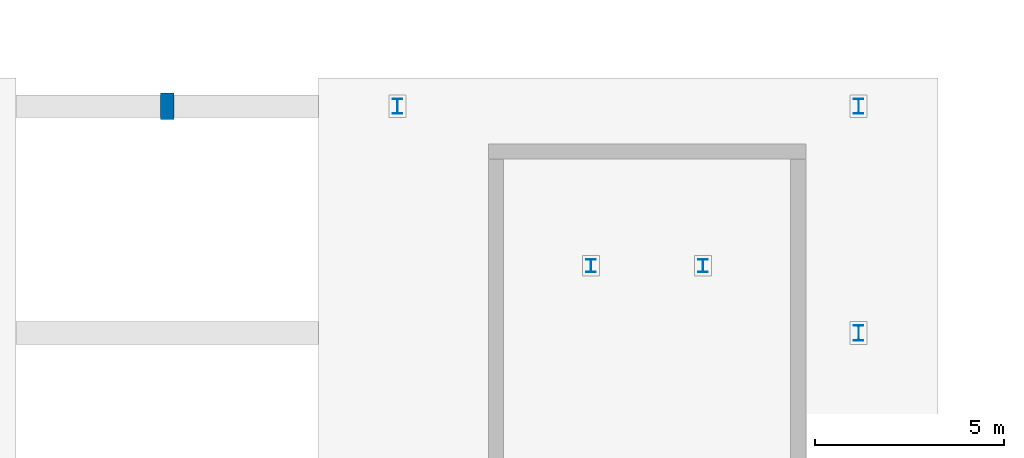
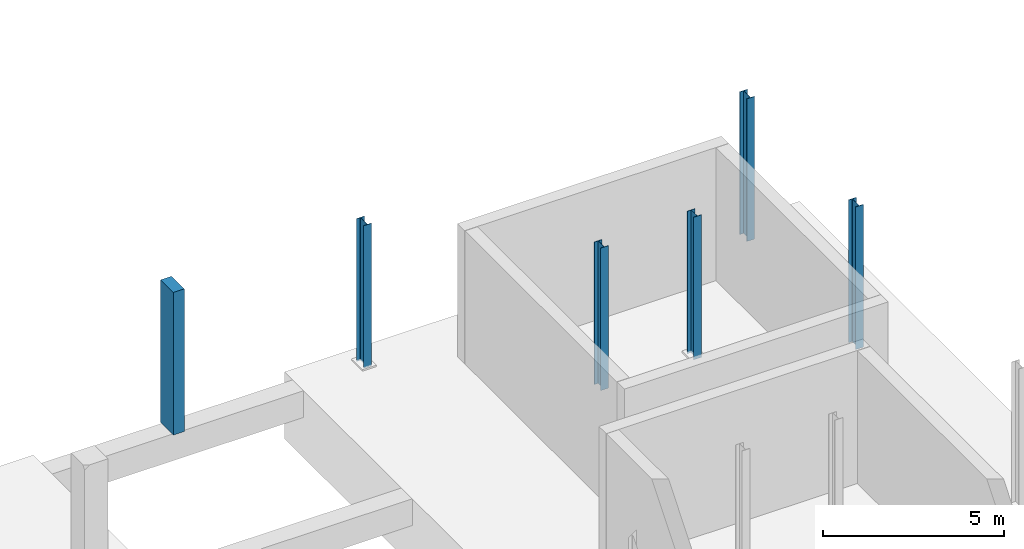
# One storey, part 21 of 32: 6 columns.
"""IFC4 building model written with IfcOpenShell, lengths in metres."""

import ifcopenshell
import ifcopenshell.guid

model = None  # the IFC model being written
_history = None  # IfcOwnerHistory: only IFC2X3 demands one
_inside = {}  # id of a spatial element -> (the spatial element, [elements in it])
_under = {}  # id of a project, library or spatial element -> (it, [spatial elements below it])
_declared = {}  # id of a project -> (the project, [libraries it declares])
_typed = {}  # id of a type object -> (the type object, [elements of that type])
_made_of = {}  # id of a material, layer set ... -> (it, [elements and type objects made of it])


def new_model(schema):
    """Start an empty IFC model of exactly this schema.

    Asked for "IFC4X3", IfcOpenShell would pick the latest addendum, in which some entities
    have other attributes; the version numbers below select the first issue.
    IFC2X3 requires an IfcOwnerHistory on every rooted entity: one is made here for all.
    """
    global model, _history
    if schema == "IFC4X3":
        model = ifcopenshell.file(schema_version=(4, 3, 0, 0))
    else:
        model = ifcopenshell.file(schema=schema)
    _inside.clear()
    _under.clear()
    _declared.clear()
    _typed.clear()
    _made_of.clear()
    _history = None
    if model.schema == "IFC2X3":
        org = make("IfcOrganization", Name="unknown")
        user = make(
            "IfcPersonAndOrganization",
            ThePerson=make("IfcPerson", FamilyName="unknown"),
            TheOrganization=org,
        )
        app = make(
            "IfcApplication",
            ApplicationDeveloper=org,
            Version="unknown",
            ApplicationFullName="unknown",
            ApplicationIdentifier="unknown",
        )
        _history = make(
            "IfcOwnerHistory",
            OwningUser=user,
            OwningApplication=app,
            ChangeAction="ADDED",
            CreationDate=0,
        )
    return model


def make(cls, **values):
    """One entity of the class cls with the attributes given. An attribute that is None is left unset."""
    return model.create_entity(
        cls, **{name: value for name, value in values.items() if value is not None}
    )


def rooted(cls, **values):
    """An entity with a GlobalId (a new one), such as an element, a storey or a relation."""
    return make(cls, GlobalId=ifcopenshell.guid.new(), OwnerHistory=_history, **values)


def si_unit(unit_type, name, prefix=None):
    """IfcSIUnit, for example si_unit("LENGTHUNIT", "METRE", prefix="MILLI")."""
    return make("IfcSIUnit", UnitType=unit_type, Prefix=prefix, Name=name)


def derived_unit(unit_type, elements):
    """IfcDerivedUnit: a product of units, each with its exponent."""
    return make(
        "IfcDerivedUnit",
        Elements=[
            make("IfcDerivedUnitElement", Unit=unit, Exponent=power)
            for unit, power in elements
        ],
        UnitType=unit_type,
    )


def assignment(units):
    """IfcUnitAssignment: the units of a project."""
    return None if units is None else make("IfcUnitAssignment", Units=units)


def point(xyz):
    """IfcCartesianPoint."""
    return None if xyz is None else make("IfcCartesianPoint", Coordinates=xyz)


def direction(xyz):
    """IfcDirection."""
    return None if xyz is None else make("IfcDirection", DirectionRatios=xyz)


def frame(location, z_axis=None, x_axis=None):
    """IfcAxis2Placement3D, a coordinate frame: its origin and axes. An axis left out is left unset."""
    return make(
        "IfcAxis2Placement3D",
        Location=point(location),
        Axis=direction(z_axis),
        RefDirection=direction(x_axis),
    )


def frame_2d(location, x_axis=None):
    """IfcAxis2Placement2D, a coordinate frame in the plane: its origin and x axis."""
    return make(
        "IfcAxis2Placement2D", Location=point(location), RefDirection=direction(x_axis)
    )


def origin():
    """The frame at (0, 0, 0) with its axes left unset."""
    return frame((0.0, 0.0, 0.0))


def origin_2d():
    """The frame at (0, 0) in the plane with its x axis left unset."""
    return frame_2d((0.0, 0.0))


def place(relative_to, where):
    """IfcLocalPlacement: puts the frame where relative to a parent placement (None: the world)."""
    return make(
        "IfcLocalPlacement", PlacementRelTo=relative_to, RelativePlacement=where
    )


def context(
    kind, dimensions, precision=None, world=None, true_north=None, identifier=None
):
    """IfcGeometricRepresentationContext, for example the 3D "Model" context."""
    return make(
        "IfcGeometricRepresentationContext",
        ContextIdentifier=identifier,
        ContextType=kind,
        CoordinateSpaceDimension=dimensions,
        Precision=precision,
        WorldCoordinateSystem=world,
        TrueNorth=true_north,
    )


def subcontext(parent, identifier, kind, view, scale=None):
    """IfcGeometricRepresentationSubContext, for example "Body" below "Model"."""
    return make(
        "IfcGeometricRepresentationSubContext",
        ContextIdentifier=identifier,
        ContextType=kind,
        ParentContext=parent,
        TargetScale=scale,
        TargetView=view,
    )


def project(units=None, contexts=None):
    """IfcProject with its units and contexts."""
    return rooted(
        "IfcProject",
        Name="project",
        RepresentationContexts=contexts,
        UnitsInContext=assignment(units),
    )


def spatial(cls, under=None, at=None, **own):
    """A site, building, storey or space (cls), placed at a placement, below another one or the project."""
    s = rooted(cls, ObjectPlacement=at, **own)
    if under is not None:
        _under.setdefault(under.id(), (under, []))[1].append(s)
    return s


def profile(cls, at=None, kind="AREA", **sizes):
    """A parametric profile (cls). Its sizes go by their IFC names, for example OverallWidth=200.0."""
    return make(cls, ProfileType=kind, Position=at, **sizes)


def rectangle(**sizes):
    """IfcRectangleProfileDef."""
    return profile("IfcRectangleProfileDef", **sizes)


def i_section(**sizes):
    """IfcIShapeProfileDef."""
    return profile("IfcIShapeProfileDef", **sizes)


def extrude(swept, where, along, depth):
    """IfcExtrudedAreaSolid: the profile swept, set in the frame where, extruded along a direction by depth."""
    return make(
        "IfcExtrudedAreaSolid",
        SweptArea=swept,
        Position=where,
        ExtrudedDirection=direction(along),
        Depth=depth,
    )


def shape(context_of_items, identifier, shape_type, items):
    """IfcShapeRepresentation: the items that make up one representation, for example the "Body"."""
    return make(
        "IfcShapeRepresentation",
        ContextOfItems=context_of_items,
        RepresentationIdentifier=identifier,
        RepresentationType=shape_type,
        Items=items,
    )


def material(Name=None, Category=None):
    """IfcMaterial."""
    return make("IfcMaterial", Name=Name, Category=Category)


def material_profile(
    of_material, cross_section, Name=None, Category=None, Priority=None
):
    """IfcMaterialProfile: a cross section and its material."""
    return make(
        "IfcMaterialProfile",
        Name=Name,
        Material=of_material,
        Profile=cross_section,
        Priority=Priority,
        Category=Category,
    )


def profile_set(profiles, Name=None, composite=None):
    """IfcMaterialProfileSet."""
    return make(
        "IfcMaterialProfileSet",
        Name=Name,
        MaterialProfiles=profiles,
        CompositeProfile=composite,
    )


def made_of(thing, what):
    """Note that an element or type object is made of a material, layer set ...; save() writes the relation."""
    if what is not None:
        _made_of.setdefault(what.id(), (what, []))[1].append(thing)
    return thing


def type_object(cls, material=None, **own):
    """A type object (cls), such as IfcWallType, which elements share."""
    return made_of(rooted(cls, **own), material)


def element(
    cls,
    number,
    at=None,
    inside=None,
    cuts=None,
    type_object=None,
    material=None,
    context=None,
    identifier="Body",
    shape_type=None,
    held_by="IfcProductDefinitionShape",
    body=None,
    shapes=None,
    **own,
):
    """One element of the class cls, such as IfcWall. Its Tag is "e" and its number.

    at: its placement. inside: the storey or other place that contains it. cuts: it is an
    opening in that element (IfcRelVoidsElement). A single representation is given by context,
    identifier, shape_type and body (its items); several are given by shapes. held_by: the class
    of the entity that holds the representations. save() writes the other relations.
    """
    e = rooted(cls, Tag="e%d" % number, ObjectPlacement=at, **own)
    if body is not None:
        shapes = [shape(context, identifier, shape_type, body)]
    if shapes is not None:
        e.Representation = make(held_by, Representations=shapes)
    if inside is not None:
        _inside.setdefault(inside.id(), (inside, []))[1].append(e)
    if cuts is not None:
        rooted(
            "IfcRelVoidsElement", RelatingBuildingElement=cuts, RelatedOpeningElement=e
        )
    if type_object is not None:
        _typed.setdefault(type_object.id(), (type_object, []))[1].append(e)
    return made_of(e, material)


def aggregate(whole, parts):
    """IfcRelAggregates: a whole, such as a stair, and the parts it consists of."""
    return rooted("IfcRelAggregates", RelatingObject=whole, RelatedObjects=parts)


def save(model, path):
    """Write the relations noted so far, then the file.

    IfcRelAggregates (storeys below a building ...), IfcRelContainedInSpatialStructure (elements
    in a storey), IfcRelDefinesByType, IfcRelAssociatesMaterial and IfcRelDeclares: one each for
    every whole, place, type object, material and project.
    """
    for whole, parts in _under.values():
        aggregate(whole, parts)
    for where, things in _inside.values():
        rooted(
            "IfcRelContainedInSpatialStructure",
            RelatedElements=things,
            RelatingStructure=where,
        )
    for kind, things in _typed.values():
        rooted("IfcRelDefinesByType", RelatedObjects=things, RelatingType=kind)
    for what, things in _made_of.values():
        rooted("IfcRelAssociatesMaterial", RelatedObjects=things, RelatingMaterial=what)
    for by, libraries in _declared.values():
        rooted("IfcRelDeclares", RelatingContext=by, RelatedDefinitions=libraries)
    model.write(path)


model = new_model("IFC4")

# Units and contexts
model_context = context("Model", 3, precision=1e-05, world=origin(), true_north=direction((0.0, 1.0)))
body_context = subcontext(model_context, "Body", "Model", "MODEL_VIEW")
ifc_project = project(units=[si_unit("LENGTHUNIT", "METRE"), si_unit("AREAUNIT", "SQUARE_METRE"), si_unit("VOLUMEUNIT", "CUBIC_METRE"), si_unit("PLANEANGLEUNIT", "RADIAN"), si_unit("MASSUNIT", "GRAM", prefix="KILO"), derived_unit("THERMALTRANSMITTANCEUNIT", [(si_unit("POWERUNIT", "WATT"), 1), (si_unit("LENGTHUNIT", "METRE"), -2), (si_unit("THERMODYNAMICTEMPERATUREUNIT", "KELVIN"), -1)])], contexts=[model_context])

# Site, building, storey
site_placement = place(None, origin())
site = spatial("IfcSite", under=ifc_project, at=site_placement, CompositionType="ELEMENT")
building_placement = place(site_placement, origin())
building = spatial("IfcBuilding", under=site, at=building_placement, Name="Nallur Shell Playhouse", CompositionType="ELEMENT")
storey_placement = place(building_placement, frame((0.0, 0.0, -4.800048828125)))
storey = spatial("IfcBuildingStorey", under=building, at=storey_placement, Name="B1", CompositionType="ELEMENT", Elevation=-4.800048828125)

# Columns
ifc_material_1 = material(Name="Concrete M40", Category="concrete")
ifc_material_profile_1 = material_profile(ifc_material_1, rectangle(XDim=0.35009765625, YDim=0.699951171875, at=origin_2d()), Name="RC 350x700")
ifc_profile_set_1 = profile_set([ifc_material_profile_1], Name="Concrete M40")
column_type_1 = type_object("IfcColumnType", Name="CL-PIL-350x700", PredefinedType="PILASTER", material=ifc_profile_set_1)
column_placement = place(storey_placement, frame((141.5, 56.0, 0.0), z_axis=(0.0, 0.0, 1.0), x_axis=(1.0, 0.0, 0.0)))
element("IfcColumn", 1, at=column_placement, inside=storey, type_object=column_type_1, Name="Wall pilaster PIL-05 (B1)", PredefinedType="PILASTER", context=body_context, shape_type="SweptSolid", body=[
    extrude(rectangle(XDim=0.35009765625, YDim=0.699951171875, at=origin_2d()), origin(), (0.0, 0.0, 1.0), 4.800048828125),
])
ifc_material_2 = material(Name="Steel E350", Category="steel")
ifc_material_profile_2 = material_profile(ifc_material_2, i_section(OverallWidth=0.25, OverallDepth=0.35009765625, WebThickness=0.010009765625, FlangeThickness=0.01171875, FilletRadius=0.011962890625, at=origin_2d()), Name="ISHB 350")
ifc_profile_set_2 = profile_set([ifc_material_profile_2], Name="Steel E350")
column_type_2 = type_object("IfcColumnType", Name="CL-ST-ISHB350", PredefinedType="COLUMN", material=ifc_profile_set_2)
for number, where, z_axis, x_axis, name in (
    (2, (152.719970703125, 51.780029296875, 0.0), (0.0, 0.0, 1.0), (1.0, 0.0, 0.0), "Column STW-JC-5-W (B1)"),
    (3, (155.679931640625, 51.780029296875, 0.0), (0.0, 0.0, 1.0), (1.0, 0.0, 0.0), "Column STW-JC-5-E (B1)"),
):
    element("IfcColumn", number, at=place(storey_placement, frame(where, z_axis=z_axis, x_axis=x_axis)), inside=storey, type_object=column_type_2, Name=name, PredefinedType="COLUMN", context=body_context, shape_type="SweptSolid", body=[
        extrude(i_section(OverallWidth=0.25, OverallDepth=0.35009765625, WebThickness=0.010009765625, FlangeThickness=0.01171875, FilletRadius=0.011962890625, at=origin_2d()), origin(), (0.0, 0.0, 1.0), 4.800048828125),
    ])
ifc_material_profile_3 = material_profile(ifc_material_2, i_section(OverallWidth=0.25, OverallDepth=0.39990234375, WebThickness=0.010498046875, FlangeThickness=0.0126953125, FilletRadius=0.013916015625, at=origin_2d()), Name="ISHB 400")
ifc_profile_set_3 = profile_set([ifc_material_profile_3], Name="Steel E350")
column_type_3 = type_object("IfcColumnType", Name="CL-ST-ISHB400", PredefinedType="COLUMN", material=ifc_profile_set_3)
for number, where, z_axis, x_axis, name in (
    (4, (147.60009765625, 56.0, 0.0), (0.0, 0.0, 1.0), (1.0, 0.0, 0.0), "Column 18-G (B1)"),
    (5, (159.800048828125, 50.0, 0.0), (0.0, 0.0, 1.0), (1.0, 0.0, 0.0), "Column 19-F (B1)"),
    (6, (159.800048828125, 56.0, 0.0), (0.0, 0.0, 1.0), (1.0, 0.0, 0.0), "Column 19-G (B1)"),
):
    element("IfcColumn", number, at=place(storey_placement, frame(where, z_axis=z_axis, x_axis=x_axis)), inside=storey, type_object=column_type_3, Name=name, PredefinedType="COLUMN", context=body_context, shape_type="SweptSolid", body=[
        extrude(i_section(OverallWidth=0.25, OverallDepth=0.39990234375, WebThickness=0.010498046875, FlangeThickness=0.0126953125, FilletRadius=0.013916015625, at=origin_2d()), origin(), (0.0, 0.0, 1.0), 4.800048828125),
    ])

save(model, "model.ifc")
